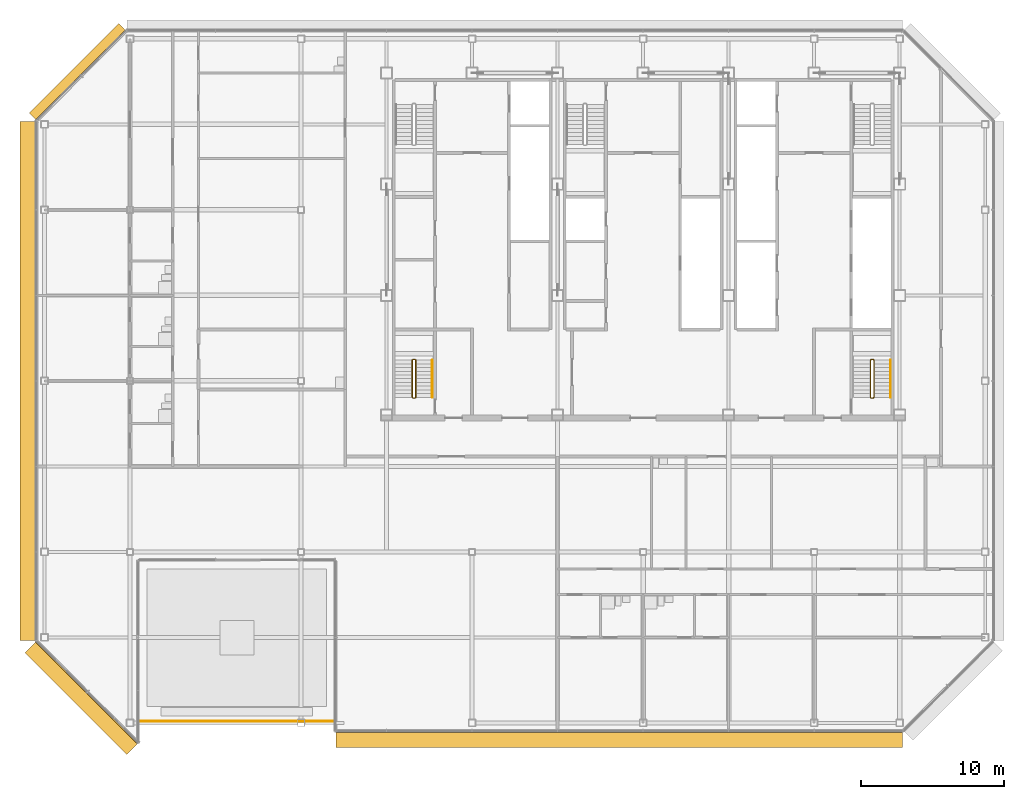
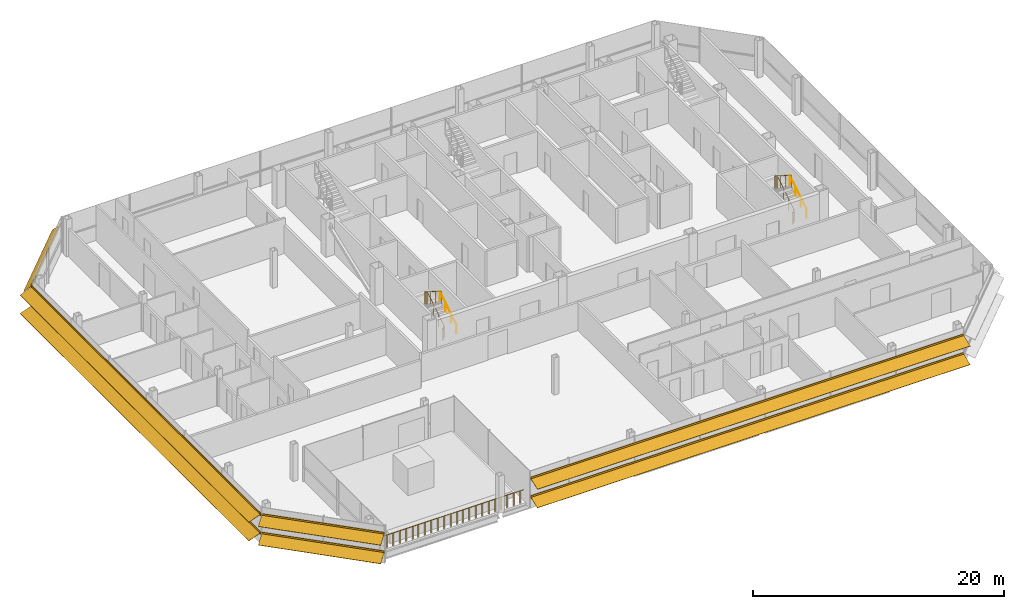
# One storey, part 28 of 31: 5 railings, 4 shading devices.
"""IFC4 building model written with IfcOpenShell, lengths in metres."""

from ifc_helpers import new_model, si_unit, direction, frame, origin, origin_2d, place, context, subcontext, project, spatial, polyline, circle, outline, composite_profile, extrude, material, type_object, element, save


model = new_model("IFC4")

# Units and contexts
model_context = context("Model", 3, precision=1e-05, world=origin(), true_north=direction((0.0, 1.0)))
body_context = subcontext(model_context, "Body", "Model", "MODEL_VIEW")
ifc_project = project(units=[si_unit("LENGTHUNIT", "METRE"), si_unit("AREAUNIT", "SQUARE_METRE"), si_unit("VOLUMEUNIT", "CUBIC_METRE"), si_unit("PLANEANGLEUNIT", "RADIAN"), si_unit("MASSUNIT", "GRAM", prefix="KILO")], contexts=[model_context])

# Site, building, storey
site_placement = place(None, origin())
site = spatial("IfcSite", under=ifc_project, at=site_placement, CompositionType="ELEMENT")
building_placement = place(site_placement, origin())
building = spatial("IfcBuilding", under=site, at=building_placement, Name="Sorahane Residences", CompositionType="ELEMENT")
storey_placement = place(building_placement, frame((0.0, 0.0, 319.60009765625)))
storey = spatial("IfcBuildingStorey", under=building, at=storey_placement, Name="L76", CompositionType="ELEMENT", Elevation=319.60009765625)

# Shading devices
ifc_material_1 = material(Name="Terracotta anodised aluminium", Category="masonry")
shading_device_type_1 = type_object("IfcShadingDeviceType", Name="Louvre sunshade blade NW terracotta aluminium 700", PredefinedType="JALOUSIE", material=ifc_material_1)
shading_device_1_placement = place(storey_placement, frame((-12.283935546875, 48.564697265625, 2.699951171875), z_axis=(-0.707106781187, -0.707106781187, 0.0), x_axis=(0.707106781187, -0.707106781187, 0.0)))
element("IfcShadingDevice", 1, at=shading_device_1_placement, inside=storey, type_object=shading_device_type_1, Name="Louvre sunshade blade bank NW L76 NW1", PredefinedType="JALOUSIE", context=body_context, shape_type="SweptSolid", body=[
    extrude(outline(polyline([(-0.719970703125, -0.660888671875), (-0.719970703125, -0.69091796875), (-0.080078125, -0.072998046875), (-0.080078125, -0.14990234375), (-0.02001953125, -0.14990234375), (-0.02001953125, -0.014892578125), (-0.02001953125, 0.014892578125), (-0.02001953125, 0.14990234375), (-0.080078125, 0.14990234375), (-0.080078125, -0.04296875), (-0.719970703125, -0.660888671875)])), origin(), (0.0, 0.0, 1.0), 8.88232421875),
])
ifc_material_2 = material(Name="Terracotta anodised aluminium", Category="masonry")
shading_device_type_2 = type_object("IfcShadingDeviceType", Name="Louvre sunshade blade S terracotta aluminium 1100", PredefinedType="JALOUSIE", material=ifc_material_2)
shading_device_2_placement = place(storey_placement, frame((2.449951171875, -0.60009765625, 0.89990234375), z_axis=(1.0, 0.0, 0.0), x_axis=(0.0, 1.0, 0.0)))
element("IfcShadingDevice", 2, at=shading_device_2_placement, inside=storey, type_object=shading_device_type_2, Name="Louvre sunshade blade bank S L76 S2", PredefinedType="JALOUSIE", context=body_context, shape_type="SweptSolid", body=[
    extrude(composite_profile([outline(polyline([(-1.1201171875, -0.385498046875), (-1.1201171875, -0.415283203125), (-0.080078125, -0.036865234375), (-0.080078125, -0.14990234375), (-0.02001953125, -0.14990234375), (-0.02001953125, -0.014892578125), (-0.02001953125, 0.014892578125), (-0.02001953125, 0.14990234375), (-0.080078125, 0.14990234375), (-0.080078125, -0.0068359375), (-1.1201171875, -0.385498046875)])), outline(polyline([(-1.1201171875, 1.41455078125), (-1.1201171875, 1.384521484375), (-0.080078125, 1.76318359375), (-0.080078125, 1.64990234375), (-0.02001953125, 1.64990234375), (-0.02001953125, 1.784912109375), (-0.02001953125, 1.81494140625), (-0.02001953125, 1.949951171875), (-0.080078125, 1.949951171875), (-0.080078125, 1.793212890625), (-1.1201171875, 1.41455078125)]))]), origin(), (0.0, 0.0, 1.0), 39.74853515625),
])
ifc_material_3 = material(Name="Terracotta anodised aluminium", Category="masonry")
shading_device_type_3 = type_object("IfcShadingDeviceType", Name="Louvre sunshade blade SW terracotta aluminium 1100", PredefinedType="JALOUSIE", material=ifc_material_3)
shading_device_3_placement = place(storey_placement, frame((-18.564697265625, 5.716064453125, 0.89990234375), z_axis=(0.707118888454, -0.707094673712, 0.0), x_axis=(0.707094673712, 0.707118888454, 0.0)))
element("IfcShadingDevice", 3, at=shading_device_3_placement, inside=storey, type_object=shading_device_type_3, Name="Louvre sunshade blade bank SW L76 SW1", PredefinedType="JALOUSIE", context=body_context, shape_type="SweptSolid", body=[
    extrude(composite_profile([outline(polyline([(-1.1201171875, -0.385498046875), (-1.1201171875, -0.415283203125), (-0.080078125, -0.036865234375), (-0.080078125, -0.14990234375), (-0.02001953125, -0.14990234375), (-0.02001953125, -0.014892578125), (-0.02001953125, 0.014892578125), (-0.02001953125, 0.14990234375), (-0.080078125, 0.14990234375), (-0.080078125, -0.0068359375), (-1.1201171875, -0.385498046875)])), outline(polyline([(-1.1201171875, 1.41455078125), (-1.1201171875, 1.384521484375), (-0.080078125, 1.76318359375), (-0.080078125, 1.64990234375), (-0.02001953125, 1.64990234375), (-0.02001953125, 1.784912109375), (-0.02001953125, 1.81494140625), (-0.02001953125, 1.949951171875), (-0.080078125, 1.949951171875), (-0.080078125, 1.793212890625), (-1.1201171875, 1.41455078125)]))]), origin(), (0.0, 0.0, 1.0), 10.082275390625),
])
ifc_material_4 = material(Name="Terracotta anodised aluminium", Category="masonry")
shading_device_type_4 = type_object("IfcShadingDeviceType", Name="Louvre sunshade blade W terracotta aluminium 1100", PredefinedType="JALOUSIE", material=ifc_material_4)
shading_device_4_placement = place(storey_placement, frame((-18.60009765625, 42.198486328125, 0.89990234375), z_axis=(0.0, -1.0, 0.0), x_axis=(1.0, 0.0, 0.0)))
element("IfcShadingDevice", 4, at=shading_device_4_placement, inside=storey, type_object=shading_device_type_4, Name="Louvre sunshade blade bank W L76 W2", PredefinedType="JALOUSIE", context=body_context, shape_type="SweptSolid", body=[
    extrude(composite_profile([outline(polyline([(-1.1201171875, -0.385498046875), (-1.1201171875, -0.415283203125), (-0.080078125, -0.036865234375), (-0.080078125, -0.14990234375), (-0.02001953125, -0.14990234375), (-0.02001953125, -0.014892578125), (-0.02001953125, 0.014892578125), (-0.02001953125, 0.14990234375), (-0.080078125, 0.14990234375), (-0.080078125, -0.0068359375), (-1.1201171875, -0.385498046875)])), outline(polyline([(-1.1201171875, 1.41455078125), (-1.1201171875, 1.384521484375), (-0.080078125, 1.76318359375), (-0.080078125, 1.64990234375), (-0.02001953125, 1.64990234375), (-0.02001953125, 1.784912109375), (-0.02001953125, 1.81494140625), (-0.02001953125, 1.949951171875), (-0.080078125, 1.949951171875), (-0.080078125, 1.793212890625), (-1.1201171875, 1.41455078125)]))]), origin(), (0.0, 0.0, 1.0), 36.39697265625),
])

# Railings
ifc_material_5 = material(Name="Steel Q355B", Category="steel")
railing_type_1 = type_object("IfcRailingType", Name="Stair guard 1200 Steel Q355B", PredefinedType="GUARDRAIL", material=ifc_material_5)
railing_1_placement = place(storey_placement, frame((7.85009765625, 22.800048828125, 0.0)))
element("IfcRailing", 5, at=railing_1_placement, inside=storey, type_object=railing_type_1, Name="L76 S4 stair guard 1", PredefinedType="GUARDRAIL", context=body_context, shape_type="SweptSolid", body=[
    extrude(circle(Radius=0.02392578125, at=origin_2d()), frame((0.0, 0.0, 1.17578125), z_axis=(1.0, 0.0, 0.0), x_axis=(0.0, 1.0, 0.0)), (0.0, 0.0, 1.0), 0.14990234375),
    extrude(circle(Radius=0.02392578125, at=origin_2d()), frame((0.14990234375, 0.0, 1.17578125), z_axis=(0.280808744504, 0.280808744504, 0.917765164963), x_axis=(-0.707106781187, 0.707106781187, 0.0)), (0.0, 0.0, 1.0), 0.17822265625),
    extrude(circle(Radius=0.02392578125, at=origin_2d()), frame((0.199951171875, 0.050048828125, 1.33935546875), z_axis=(0.0, 0.846337672412, 0.532646734952), x_axis=(-1.0, 0.0, 0.0)), (0.0, 0.0, 1.0), 3.07177734375),
    extrude(circle(Radius=0.02392578125, at=origin_2d()), frame((0.199951171875, 2.64990234375, 2.9755859375), z_axis=(-0.707106781187, 0.707106781187, 0.0), x_axis=(-0.707106781187, -0.707106781187, 0.0)), (0.0, 0.0, 1.0), 0.07080078125),
    extrude(circle(Radius=0.02392578125, at=origin_2d()), frame((0.14990234375, 2.699951171875, 2.9755859375), z_axis=(-1.0, 0.0, 0.0), x_axis=(0.0, -1.0, 0.0)), (0.0, 0.0, 1.0), 0.14990234375),
    extrude(circle(Radius=0.02392578125, at=origin_2d()), frame((0.0, 2.699951171875, 2.9755859375), z_axis=(-0.280456126637, -0.280456126637, 0.917980785237), x_axis=(0.707106781187, -0.707106781187, 0.0)), (0.0, 0.0, 1.0), 0.178466796875),
    extrude(circle(Radius=0.02392578125, at=origin_2d()), frame((-0.050048828125, 2.64990234375, 3.1396484375), z_axis=(0.0, -0.846337672412, 0.532646734952), x_axis=(1.0, 0.0, 0.0)), (0.0, 0.0, 1.0), 3.07177734375),
    extrude(circle(Radius=0.02099609375, at=origin_2d()), origin(), (0.0, 0.0, 1.0), 1.15185546875),
    extrude(circle(Radius=0.02099609375, at=origin_2d()), frame((0.14990234375, 0.0, 0.0)), (0.0, 0.0, 1.0), 1.15185546875),
    extrude(circle(Radius=0.02099609375, at=origin_2d()), frame((0.199951171875, 0.050048828125, 0.16357421875)), (0.0, 0.0, 1.0), 1.15185546875),
    extrude(circle(Radius=0.02099609375, at=origin_2d()), frame((0.199951171875, 0.916748046875, 0.708984375)), (0.0, 0.0, 1.0), 1.15185546875),
    extrude(circle(Radius=0.02099609375, at=origin_2d()), frame((0.199951171875, 1.783203125, 1.25439453125)), (0.0, 0.0, 1.0), 1.15185546875),
    extrude(circle(Radius=0.02099609375, at=origin_2d()), frame((0.199951171875, 2.64990234375, 1.7998046875)), (0.0, 0.0, 1.0), 1.15185546875),
    extrude(circle(Radius=0.02099609375, at=origin_2d()), frame((0.14990234375, 2.699951171875, 1.7998046875)), (0.0, 0.0, 1.0), 1.15185546875),
    extrude(circle(Radius=0.02099609375, at=origin_2d()), frame((0.0, 2.699951171875, 1.7998046875)), (0.0, 0.0, 1.0), 1.15185546875),
    extrude(circle(Radius=0.02099609375, at=origin_2d()), frame((-0.050048828125, 2.64990234375, 1.963623046875)), (0.0, 0.0, 1.0), 1.15185546875),
    extrude(circle(Radius=0.02099609375, at=origin_2d()), frame((-0.050048828125, 1.783203125, 2.509033203125)), (0.0, 0.0, 1.0), 1.15185546875),
    extrude(circle(Radius=0.02099609375, at=origin_2d()), frame((-0.050048828125, 0.916748046875, 3.054443359375)), (0.0, 0.0, 1.0), 1.15185546875),
    extrude(circle(Radius=0.02099609375, at=origin_2d()), frame((-0.050048828125, 0.050048828125, 3.599853515625)), (0.0, 0.0, 1.0), 1.15185546875),
])
railing_2_placement = place(storey_placement, frame((40.0, 22.800048828125, 0.0)))
element("IfcRailing", 6, at=railing_2_placement, inside=storey, type_object=railing_type_1, Name="L76 S5 stair guard 1", PredefinedType="GUARDRAIL", context=body_context, shape_type="SweptSolid", body=[
    extrude(circle(Radius=0.02392578125, at=origin_2d()), frame((0.0, 0.0, 1.17578125), z_axis=(1.0, 0.0, 0.0), x_axis=(0.0, 1.0, 0.0)), (0.0, 0.0, 1.0), 0.14990234375),
    extrude(circle(Radius=0.02392578125, at=origin_2d()), frame((0.14990234375, 0.0, 1.17578125), z_axis=(0.280808744504, 0.280808744504, 0.917765164963), x_axis=(-0.707106781187, 0.707106781187, 0.0)), (0.0, 0.0, 1.0), 0.17822265625),
    extrude(circle(Radius=0.02392578125, at=origin_2d()), frame((0.199951171875, 0.050048828125, 1.33935546875), z_axis=(0.0, 0.846337672412, 0.532646734952), x_axis=(-1.0, 0.0, 0.0)), (0.0, 0.0, 1.0), 3.07177734375),
    extrude(circle(Radius=0.02392578125, at=origin_2d()), frame((0.199951171875, 2.64990234375, 2.9755859375), z_axis=(-0.707106781187, 0.707106781187, 0.0), x_axis=(-0.707106781187, -0.707106781187, 0.0)), (0.0, 0.0, 1.0), 0.07080078125),
    extrude(circle(Radius=0.02392578125, at=origin_2d()), frame((0.14990234375, 2.699951171875, 2.9755859375), z_axis=(-1.0, 0.0, 0.0), x_axis=(0.0, -1.0, 0.0)), (0.0, 0.0, 1.0), 0.14990234375),
    extrude(circle(Radius=0.02392578125, at=origin_2d()), frame((0.0, 2.699951171875, 2.9755859375), z_axis=(-0.280456126637, -0.280456126637, 0.917980785237), x_axis=(0.707106781187, -0.707106781187, 0.0)), (0.0, 0.0, 1.0), 0.178466796875),
    extrude(circle(Radius=0.02392578125, at=origin_2d()), frame((-0.050048828125, 2.64990234375, 3.1396484375), z_axis=(0.0, -0.846337672412, 0.532646734952), x_axis=(1.0, 0.0, 0.0)), (0.0, 0.0, 1.0), 3.07177734375),
    extrude(circle(Radius=0.02099609375, at=origin_2d()), origin(), (0.0, 0.0, 1.0), 1.15185546875),
    extrude(circle(Radius=0.02099609375, at=origin_2d()), frame((0.14990234375, 0.0, 0.0)), (0.0, 0.0, 1.0), 1.15185546875),
    extrude(circle(Radius=0.02099609375, at=origin_2d()), frame((0.199951171875, 0.050048828125, 0.16357421875)), (0.0, 0.0, 1.0), 1.15185546875),
    extrude(circle(Radius=0.02099609375, at=origin_2d()), frame((0.199951171875, 0.916748046875, 0.708984375)), (0.0, 0.0, 1.0), 1.15185546875),
    extrude(circle(Radius=0.02099609375, at=origin_2d()), frame((0.199951171875, 1.783203125, 1.25439453125)), (0.0, 0.0, 1.0), 1.15185546875),
    extrude(circle(Radius=0.02099609375, at=origin_2d()), frame((0.199951171875, 2.64990234375, 1.7998046875)), (0.0, 0.0, 1.0), 1.15185546875),
    extrude(circle(Radius=0.02099609375, at=origin_2d()), frame((0.14990234375, 2.699951171875, 1.7998046875)), (0.0, 0.0, 1.0), 1.15185546875),
    extrude(circle(Radius=0.02099609375, at=origin_2d()), frame((0.0, 2.699951171875, 1.7998046875)), (0.0, 0.0, 1.0), 1.15185546875),
    extrude(circle(Radius=0.02099609375, at=origin_2d()), frame((-0.050048828125, 2.64990234375, 1.963623046875)), (0.0, 0.0, 1.0), 1.15185546875),
    extrude(circle(Radius=0.02099609375, at=origin_2d()), frame((-0.050048828125, 1.783203125, 2.509033203125)), (0.0, 0.0, 1.0), 1.15185546875),
    extrude(circle(Radius=0.02099609375, at=origin_2d()), frame((-0.050048828125, 0.916748046875, 3.054443359375)), (0.0, 0.0, 1.0), 1.15185546875),
    extrude(circle(Radius=0.02099609375, at=origin_2d()), frame((-0.050048828125, 0.050048828125, 3.599853515625)), (0.0, 0.0, 1.0), 1.15185546875),
])
ifc_material_6 = material(Name="Steel Q355B", Category="steel")
railing_type_2 = type_object("IfcRailingType", Name="Stair handrail 900 Steel Q355B", PredefinedType="HANDRAIL", material=ifc_material_6)
for number, where, name in (
    (7, (9.199951171875, 22.85009765625, 0.16357421875), "L76 S4 stair handrail 1"),
    (8, (41.35009765625, 22.85009765625, 0.16357421875), "L76 S5 stair handrail 1"),
):
    element("IfcRailing", number, at=place(storey_placement, frame(where)), inside=storey, type_object=railing_type_2, Name=name, PredefinedType="HANDRAIL", context=body_context, shape_type="SweptSolid", body=[
        extrude(circle(Radius=0.02392578125, at=origin_2d()), frame((0.0, 0.0, 0.8759765625), z_axis=(0.0, 0.846337672412, 0.532646734952), x_axis=(-1.0, 0.0, 0.0)), (0.0, 0.0, 1.0), 3.07177734375),
        extrude(circle(Radius=0.02099609375, at=origin_2d()), origin(), (0.0, 0.0, 1.0), 0.851806640625),
        extrude(circle(Radius=0.02099609375, at=origin_2d()), frame((0.0, 0.86669921875, 0.54541015625)), (0.0, 0.0, 1.0), 0.851806640625),
        extrude(circle(Radius=0.02099609375, at=origin_2d()), frame((0.0, 1.733154296875, 1.0908203125)), (0.0, 0.0, 1.0), 0.851806640625),
        extrude(circle(Radius=0.02099609375, at=origin_2d()), frame((0.0, 2.599853515625, 1.63623046875)), (0.0, 0.0, 1.0), 0.851806640625),
    ])
ifc_material_7 = material(Name="Clear low-iron glass with a black steel top rail", Category="steel")
railing_type_3 = type_object("IfcRailingType", Name="Terrace guard black steel bars 1260", PredefinedType="GUARDRAIL", material=ifc_material_7)
railing_3_placement = place(storey_placement, frame((2.280029296875, 0.1201171875, 0.0)))
element("IfcRailing", 9, at=railing_3_placement, inside=storey, type_object=railing_type_3, Name="Terrace guard L76.1.1", PredefinedType="GUARDRAIL", context=body_context, shape_type="SweptSolid", body=[
    extrude(circle(Radius=0.030029296875, at=origin_2d()), frame((0.0, 0.0, 1.22998046875), z_axis=(-1.0, 0.0, 0.0), x_axis=(0.0, -1.0, 0.0)), (0.0, 0.0, 1.0), 13.56005859375),
    extrude(circle(Radius=0.0068359375, at=origin_2d()), origin(), (0.0, 0.0, 1.0), 1.199951171875),
    extrude(circle(Radius=0.0068359375, at=origin_2d()), frame((-0.099609375, 0.0, 0.0)), (0.0, 0.0, 1.0), 1.199951171875),
    extrude(circle(Radius=0.0068359375, at=origin_2d()), frame((-0.199462890625, 0.0, 0.0)), (0.0, 0.0, 1.0), 1.199951171875),
    extrude(circle(Radius=0.0068359375, at=origin_2d()), frame((-0.299072265625, 0.0, 0.0)), (0.0, 0.0, 1.0), 1.199951171875),
    extrude(circle(Radius=0.0068359375, at=origin_2d()), frame((-0.39892578125, 0.0, 0.0)), (0.0, 0.0, 1.0), 1.199951171875),
    extrude(circle(Radius=0.0068359375, at=origin_2d()), frame((-0.49853515625, 0.0, 0.0)), (0.0, 0.0, 1.0), 1.199951171875),
    extrude(circle(Radius=0.0068359375, at=origin_2d()), frame((-0.59814453125, 0.0, 0.0)), (0.0, 0.0, 1.0), 1.199951171875),
    extrude(circle(Radius=0.0068359375, at=origin_2d()), frame((-0.697998046875, 0.0, 0.0)), (0.0, 0.0, 1.0), 1.199951171875),
    extrude(circle(Radius=0.0068359375, at=origin_2d()), frame((-0.797607421875, 0.0, 0.0)), (0.0, 0.0, 1.0), 1.199951171875),
    extrude(circle(Radius=0.0068359375, at=origin_2d()), frame((-0.8974609375, 0.0, 0.0)), (0.0, 0.0, 1.0), 1.199951171875),
    extrude(circle(Radius=0.0068359375, at=origin_2d()), frame((-0.9970703125, 0.0, 0.0)), (0.0, 0.0, 1.0), 1.199951171875),
    extrude(circle(Radius=0.0068359375, at=origin_2d()), frame((-1.0966796875, 0.0, 0.0)), (0.0, 0.0, 1.0), 1.199951171875),
    extrude(circle(Radius=0.0068359375, at=origin_2d()), frame((-1.196533203125, 0.0, 0.0)), (0.0, 0.0, 1.0), 1.199951171875),
    extrude(circle(Radius=0.0068359375, at=origin_2d()), frame((-1.296142578125, 0.0, 0.0)), (0.0, 0.0, 1.0), 1.199951171875),
    extrude(circle(Radius=0.0068359375, at=origin_2d()), frame((-1.39599609375, 0.0, 0.0)), (0.0, 0.0, 1.0), 1.199951171875),
    extrude(circle(Radius=0.0068359375, at=origin_2d()), frame((-1.49560546875, 0.0, 0.0)), (0.0, 0.0, 1.0), 1.199951171875),
    extrude(circle(Radius=0.0068359375, at=origin_2d()), frame((-1.59521484375, 0.0, 0.0)), (0.0, 0.0, 1.0), 1.199951171875),
    extrude(circle(Radius=0.0068359375, at=origin_2d()), frame((-1.695068359375, 0.0, 0.0)), (0.0, 0.0, 1.0), 1.199951171875),
    extrude(circle(Radius=0.0068359375, at=origin_2d()), frame((-1.794677734375, 0.0, 0.0)), (0.0, 0.0, 1.0), 1.199951171875),
    extrude(circle(Radius=0.0068359375, at=origin_2d()), frame((-1.89453125, 0.0, 0.0)), (0.0, 0.0, 1.0), 1.199951171875),
    extrude(circle(Radius=0.0068359375, at=origin_2d()), frame((-1.994140625, 0.0, 0.0)), (0.0, 0.0, 1.0), 1.199951171875),
    extrude(circle(Radius=0.0068359375, at=origin_2d()), frame((-2.09375, 0.0, 0.0)), (0.0, 0.0, 1.0), 1.199951171875),
    extrude(circle(Radius=0.0068359375, at=origin_2d()), frame((-2.193603515625, 0.0, 0.0)), (0.0, 0.0, 1.0), 1.199951171875),
    extrude(circle(Radius=0.0068359375, at=origin_2d()), frame((-2.293212890625, 0.0, 0.0)), (0.0, 0.0, 1.0), 1.199951171875),
    extrude(circle(Radius=0.0068359375, at=origin_2d()), frame((-2.39306640625, 0.0, 0.0)), (0.0, 0.0, 1.0), 1.199951171875),
    extrude(circle(Radius=0.0068359375, at=origin_2d()), frame((-2.49267578125, 0.0, 0.0)), (0.0, 0.0, 1.0), 1.199951171875),
    extrude(circle(Radius=0.0068359375, at=origin_2d()), frame((-2.59228515625, 0.0, 0.0)), (0.0, 0.0, 1.0), 1.199951171875),
    extrude(circle(Radius=0.0068359375, at=origin_2d()), frame((-2.692138671875, 0.0, 0.0)), (0.0, 0.0, 1.0), 1.199951171875),
    extrude(circle(Radius=0.0068359375, at=origin_2d()), frame((-2.791748046875, 0.0, 0.0)), (0.0, 0.0, 1.0), 1.199951171875),
    extrude(circle(Radius=0.0068359375, at=origin_2d()), frame((-2.8916015625, 0.0, 0.0)), (0.0, 0.0, 1.0), 1.199951171875),
    extrude(circle(Radius=0.0068359375, at=origin_2d()), frame((-2.9912109375, 0.0, 0.0)), (0.0, 0.0, 1.0), 1.199951171875),
    extrude(circle(Radius=0.0068359375, at=origin_2d()), frame((-3.0908203125, 0.0, 0.0)), (0.0, 0.0, 1.0), 1.199951171875),
    extrude(circle(Radius=0.0068359375, at=origin_2d()), frame((-3.190673828125, 0.0, 0.0)), (0.0, 0.0, 1.0), 1.199951171875),
    extrude(circle(Radius=0.0068359375, at=origin_2d()), frame((-3.290283203125, 0.0, 0.0)), (0.0, 0.0, 1.0), 1.199951171875),
    extrude(circle(Radius=0.0068359375, at=origin_2d()), frame((-3.39013671875, 0.0, 0.0)), (0.0, 0.0, 1.0), 1.199951171875),
    extrude(circle(Radius=0.0068359375, at=origin_2d()), frame((-3.48974609375, 0.0, 0.0)), (0.0, 0.0, 1.0), 1.199951171875),
    extrude(circle(Radius=0.0068359375, at=origin_2d()), frame((-3.58935546875, 0.0, 0.0)), (0.0, 0.0, 1.0), 1.199951171875),
    extrude(circle(Radius=0.0068359375, at=origin_2d()), frame((-3.689208984375, 0.0, 0.0)), (0.0, 0.0, 1.0), 1.199951171875),
    extrude(circle(Radius=0.0068359375, at=origin_2d()), frame((-3.788818359375, 0.0, 0.0)), (0.0, 0.0, 1.0), 1.199951171875),
    extrude(circle(Radius=0.0068359375, at=origin_2d()), frame((-3.888427734375, 0.0, 0.0)), (0.0, 0.0, 1.0), 1.199951171875),
    extrude(circle(Radius=0.0068359375, at=origin_2d()), frame((-3.98828125, 0.0, 0.0)), (0.0, 0.0, 1.0), 1.199951171875),
    extrude(circle(Radius=0.0068359375, at=origin_2d()), frame((-4.087890625, 0.0, 0.0)), (0.0, 0.0, 1.0), 1.199951171875),
    extrude(circle(Radius=0.0068359375, at=origin_2d()), frame((-4.187744140625, 0.0, 0.0)), (0.0, 0.0, 1.0), 1.199951171875),
    extrude(circle(Radius=0.0068359375, at=origin_2d()), frame((-4.287353515625, 0.0, 0.0)), (0.0, 0.0, 1.0), 1.199951171875),
    extrude(circle(Radius=0.0068359375, at=origin_2d()), frame((-4.386962890625, 0.0, 0.0)), (0.0, 0.0, 1.0), 1.199951171875),
    extrude(circle(Radius=0.0068359375, at=origin_2d()), frame((-4.48681640625, 0.0, 0.0)), (0.0, 0.0, 1.0), 1.199951171875),
    extrude(circle(Radius=0.0068359375, at=origin_2d()), frame((-4.58642578125, 0.0, 0.0)), (0.0, 0.0, 1.0), 1.199951171875),
    extrude(circle(Radius=0.0068359375, at=origin_2d()), frame((-4.686279296875, 0.0, 0.0)), (0.0, 0.0, 1.0), 1.199951171875),
    extrude(circle(Radius=0.0068359375, at=origin_2d()), frame((-4.785888671875, 0.0, 0.0)), (0.0, 0.0, 1.0), 1.199951171875),
    extrude(circle(Radius=0.0068359375, at=origin_2d()), frame((-4.885498046875, 0.0, 0.0)), (0.0, 0.0, 1.0), 1.199951171875),
    extrude(circle(Radius=0.0068359375, at=origin_2d()), frame((-4.9853515625, 0.0, 0.0)), (0.0, 0.0, 1.0), 1.199951171875),
    extrude(circle(Radius=0.0068359375, at=origin_2d()), frame((-5.0849609375, 0.0, 0.0)), (0.0, 0.0, 1.0), 1.199951171875),
    extrude(circle(Radius=0.0068359375, at=origin_2d()), frame((-5.184814453125, 0.0, 0.0)), (0.0, 0.0, 1.0), 1.199951171875),
    extrude(circle(Radius=0.0068359375, at=origin_2d()), frame((-5.284423828125, 0.0, 0.0)), (0.0, 0.0, 1.0), 1.199951171875),
    extrude(circle(Radius=0.0068359375, at=origin_2d()), frame((-5.384033203125, 0.0, 0.0)), (0.0, 0.0, 1.0), 1.199951171875),
    extrude(circle(Radius=0.0068359375, at=origin_2d()), frame((-5.48388671875, 0.0, 0.0)), (0.0, 0.0, 1.0), 1.199951171875),
    extrude(circle(Radius=0.0068359375, at=origin_2d()), frame((-5.58349609375, 0.0, 0.0)), (0.0, 0.0, 1.0), 1.199951171875),
    extrude(circle(Radius=0.0068359375, at=origin_2d()), frame((-5.683349609375, 0.0, 0.0)), (0.0, 0.0, 1.0), 1.199951171875),
    extrude(circle(Radius=0.0068359375, at=origin_2d()), frame((-5.782958984375, 0.0, 0.0)), (0.0, 0.0, 1.0), 1.199951171875),
    extrude(circle(Radius=0.0068359375, at=origin_2d()), frame((-5.882568359375, 0.0, 0.0)), (0.0, 0.0, 1.0), 1.199951171875),
    extrude(circle(Radius=0.0068359375, at=origin_2d()), frame((-5.982421875, 0.0, 0.0)), (0.0, 0.0, 1.0), 1.199951171875),
    extrude(circle(Radius=0.0068359375, at=origin_2d()), frame((-6.08203125, 0.0, 0.0)), (0.0, 0.0, 1.0), 1.199951171875),
    extrude(circle(Radius=0.0068359375, at=origin_2d()), frame((-6.181884765625, 0.0, 0.0)), (0.0, 0.0, 1.0), 1.199951171875),
    extrude(circle(Radius=0.0068359375, at=origin_2d()), frame((-6.281494140625, 0.0, 0.0)), (0.0, 0.0, 1.0), 1.199951171875),
    extrude(circle(Radius=0.0068359375, at=origin_2d()), frame((-6.381103515625, 0.0, 0.0)), (0.0, 0.0, 1.0), 1.199951171875),
    extrude(circle(Radius=0.0068359375, at=origin_2d()), frame((-6.48095703125, 0.0, 0.0)), (0.0, 0.0, 1.0), 1.199951171875),
    extrude(circle(Radius=0.0068359375, at=origin_2d()), frame((-6.58056640625, 0.0, 0.0)), (0.0, 0.0, 1.0), 1.199951171875),
    extrude(circle(Radius=0.0068359375, at=origin_2d()), frame((-6.680419921875, 0.0, 0.0)), (0.0, 0.0, 1.0), 1.199951171875),
    extrude(circle(Radius=0.0068359375, at=origin_2d()), frame((-6.780029296875, 0.0, 0.0)), (0.0, 0.0, 1.0), 1.199951171875),
    extrude(circle(Radius=0.0068359375, at=origin_2d()), frame((-6.879638671875, 0.0, 0.0)), (0.0, 0.0, 1.0), 1.199951171875),
    extrude(circle(Radius=0.0068359375, at=origin_2d()), frame((-6.9794921875, 0.0, 0.0)), (0.0, 0.0, 1.0), 1.199951171875),
    extrude(circle(Radius=0.0068359375, at=origin_2d()), frame((-7.0791015625, 0.0, 0.0)), (0.0, 0.0, 1.0), 1.199951171875),
    extrude(circle(Radius=0.0068359375, at=origin_2d()), frame((-7.178955078125, 0.0, 0.0)), (0.0, 0.0, 1.0), 1.199951171875),
    extrude(circle(Radius=0.0068359375, at=origin_2d()), frame((-7.278564453125, 0.0, 0.0)), (0.0, 0.0, 1.0), 1.199951171875),
    extrude(circle(Radius=0.0068359375, at=origin_2d()), frame((-7.378173828125, 0.0, 0.0)), (0.0, 0.0, 1.0), 1.199951171875),
    extrude(circle(Radius=0.0068359375, at=origin_2d()), frame((-7.47802734375, 0.0, 0.0)), (0.0, 0.0, 1.0), 1.199951171875),
    extrude(circle(Radius=0.0068359375, at=origin_2d()), frame((-7.57763671875, 0.0, 0.0)), (0.0, 0.0, 1.0), 1.199951171875),
    extrude(circle(Radius=0.0068359375, at=origin_2d()), frame((-7.677490234375, 0.0, 0.0)), (0.0, 0.0, 1.0), 1.199951171875),
    extrude(circle(Radius=0.0068359375, at=origin_2d()), frame((-7.777099609375, 0.0, 0.0)), (0.0, 0.0, 1.0), 1.199951171875),
    extrude(circle(Radius=0.0068359375, at=origin_2d()), frame((-7.876708984375, 0.0, 0.0)), (0.0, 0.0, 1.0), 1.199951171875),
    extrude(circle(Radius=0.0068359375, at=origin_2d()), frame((-7.9765625, 0.0, 0.0)), (0.0, 0.0, 1.0), 1.199951171875),
    extrude(circle(Radius=0.0068359375, at=origin_2d()), frame((-8.076171875, 0.0, 0.0)), (0.0, 0.0, 1.0), 1.199951171875),
    extrude(circle(Radius=0.0068359375, at=origin_2d()), frame((-8.176025390625, 0.0, 0.0)), (0.0, 0.0, 1.0), 1.199951171875),
    extrude(circle(Radius=0.0068359375, at=origin_2d()), frame((-8.275634765625, 0.0, 0.0)), (0.0, 0.0, 1.0), 1.199951171875),
    extrude(circle(Radius=0.0068359375, at=origin_2d()), frame((-8.375244140625, 0.0, 0.0)), (0.0, 0.0, 1.0), 1.199951171875),
    extrude(circle(Radius=0.0068359375, at=origin_2d()), frame((-8.47509765625, 0.0, 0.0)), (0.0, 0.0, 1.0), 1.199951171875),
    extrude(circle(Radius=0.0068359375, at=origin_2d()), frame((-8.57470703125, 0.0, 0.0)), (0.0, 0.0, 1.0), 1.199951171875),
    extrude(circle(Radius=0.0068359375, at=origin_2d()), frame((-8.674560546875, 0.0, 0.0)), (0.0, 0.0, 1.0), 1.199951171875),
    extrude(circle(Radius=0.0068359375, at=origin_2d()), frame((-8.774169921875, 0.0, 0.0)), (0.0, 0.0, 1.0), 1.199951171875),
    extrude(circle(Radius=0.0068359375, at=origin_2d()), frame((-8.873779296875, 0.0, 0.0)), (0.0, 0.0, 1.0), 1.199951171875),
    extrude(circle(Radius=0.0068359375, at=origin_2d()), frame((-8.9736328125, 0.0, 0.0)), (0.0, 0.0, 1.0), 1.199951171875),
    extrude(circle(Radius=0.0068359375, at=origin_2d()), frame((-9.0732421875, 0.0, 0.0)), (0.0, 0.0, 1.0), 1.199951171875),
    extrude(circle(Radius=0.0068359375, at=origin_2d()), frame((-9.173095703125, 0.0, 0.0)), (0.0, 0.0, 1.0), 1.199951171875),
    extrude(circle(Radius=0.0068359375, at=origin_2d()), frame((-9.272705078125, 0.0, 0.0)), (0.0, 0.0, 1.0), 1.199951171875),
    extrude(circle(Radius=0.0068359375, at=origin_2d()), frame((-9.372314453125, 0.0, 0.0)), (0.0, 0.0, 1.0), 1.199951171875),
    extrude(circle(Radius=0.0068359375, at=origin_2d()), frame((-9.47216796875, 0.0, 0.0)), (0.0, 0.0, 1.0), 1.199951171875),
    extrude(circle(Radius=0.0068359375, at=origin_2d()), frame((-9.57177734375, 0.0, 0.0)), (0.0, 0.0, 1.0), 1.199951171875),
    extrude(circle(Radius=0.0068359375, at=origin_2d()), frame((-9.671630859375, 0.0, 0.0)), (0.0, 0.0, 1.0), 1.199951171875),
    extrude(circle(Radius=0.0068359375, at=origin_2d()), frame((-9.771240234375, 0.0, 0.0)), (0.0, 0.0, 1.0), 1.199951171875),
    extrude(circle(Radius=0.0068359375, at=origin_2d()), frame((-9.870849609375, 0.0, 0.0)), (0.0, 0.0, 1.0), 1.199951171875),
    extrude(circle(Radius=0.0068359375, at=origin_2d()), frame((-9.970703125, 0.0, 0.0)), (0.0, 0.0, 1.0), 1.199951171875),
    extrude(circle(Radius=0.0068359375, at=origin_2d()), frame((-10.0703125, 0.0, 0.0)), (0.0, 0.0, 1.0), 1.199951171875),
    extrude(circle(Radius=0.0068359375, at=origin_2d()), frame((-10.169921875, 0.0, 0.0)), (0.0, 0.0, 1.0), 1.199951171875),
    extrude(circle(Radius=0.0068359375, at=origin_2d()), frame((-10.269775390625, 0.0, 0.0)), (0.0, 0.0, 1.0), 1.199951171875),
    extrude(circle(Radius=0.0068359375, at=origin_2d()), frame((-10.369384765625, 0.0, 0.0)), (0.0, 0.0, 1.0), 1.199951171875),
    extrude(circle(Radius=0.0068359375, at=origin_2d()), frame((-10.46923828125, 0.0, 0.0)), (0.0, 0.0, 1.0), 1.199951171875),
    extrude(circle(Radius=0.0068359375, at=origin_2d()), frame((-10.56884765625, 0.0, 0.0)), (0.0, 0.0, 1.0), 1.199951171875),
    extrude(circle(Radius=0.0068359375, at=origin_2d()), frame((-10.66845703125, 0.0, 0.0)), (0.0, 0.0, 1.0), 1.199951171875),
    extrude(circle(Radius=0.0068359375, at=origin_2d()), frame((-10.768310546875, 0.0, 0.0)), (0.0, 0.0, 1.0), 1.199951171875),
    extrude(circle(Radius=0.0068359375, at=origin_2d()), frame((-10.867919921875, 0.0, 0.0)), (0.0, 0.0, 1.0), 1.199951171875),
    extrude(circle(Radius=0.0068359375, at=origin_2d()), frame((-10.9677734375, 0.0, 0.0)), (0.0, 0.0, 1.0), 1.199951171875),
    extrude(circle(Radius=0.0068359375, at=origin_2d()), frame((-11.0673828125, 0.0, 0.0)), (0.0, 0.0, 1.0), 1.199951171875),
    extrude(circle(Radius=0.0068359375, at=origin_2d()), frame((-11.1669921875, 0.0, 0.0)), (0.0, 0.0, 1.0), 1.199951171875),
    extrude(circle(Radius=0.0068359375, at=origin_2d()), frame((-11.266845703125, 0.0, 0.0)), (0.0, 0.0, 1.0), 1.199951171875),
    extrude(circle(Radius=0.0068359375, at=origin_2d()), frame((-11.366455078125, 0.0, 0.0)), (0.0, 0.0, 1.0), 1.199951171875),
    extrude(circle(Radius=0.0068359375, at=origin_2d()), frame((-11.46630859375, 0.0, 0.0)), (0.0, 0.0, 1.0), 1.199951171875),
    extrude(circle(Radius=0.0068359375, at=origin_2d()), frame((-11.56591796875, 0.0, 0.0)), (0.0, 0.0, 1.0), 1.199951171875),
    extrude(circle(Radius=0.0068359375, at=origin_2d()), frame((-11.66552734375, 0.0, 0.0)), (0.0, 0.0, 1.0), 1.199951171875),
    extrude(circle(Radius=0.0068359375, at=origin_2d()), frame((-11.765380859375, 0.0, 0.0)), (0.0, 0.0, 1.0), 1.199951171875),
    extrude(circle(Radius=0.0068359375, at=origin_2d()), frame((-11.864990234375, 0.0, 0.0)), (0.0, 0.0, 1.0), 1.199951171875),
    extrude(circle(Radius=0.0068359375, at=origin_2d()), frame((-11.96484375, 0.0, 0.0)), (0.0, 0.0, 1.0), 1.199951171875),
    extrude(circle(Radius=0.0068359375, at=origin_2d()), frame((-12.064453125, 0.0, 0.0)), (0.0, 0.0, 1.0), 1.199951171875),
    extrude(circle(Radius=0.0068359375, at=origin_2d()), frame((-12.1640625, 0.0, 0.0)), (0.0, 0.0, 1.0), 1.199951171875),
    extrude(circle(Radius=0.0068359375, at=origin_2d()), frame((-12.263916015625, 0.0, 0.0)), (0.0, 0.0, 1.0), 1.199951171875),
    extrude(circle(Radius=0.0068359375, at=origin_2d()), frame((-12.363525390625, 0.0, 0.0)), (0.0, 0.0, 1.0), 1.199951171875),
    extrude(circle(Radius=0.0068359375, at=origin_2d()), frame((-12.46337890625, 0.0, 0.0)), (0.0, 0.0, 1.0), 1.199951171875),
    extrude(circle(Radius=0.0068359375, at=origin_2d()), frame((-12.56298828125, 0.0, 0.0)), (0.0, 0.0, 1.0), 1.199951171875),
    extrude(circle(Radius=0.0068359375, at=origin_2d()), frame((-12.66259765625, 0.0, 0.0)), (0.0, 0.0, 1.0), 1.199951171875),
    extrude(circle(Radius=0.0068359375, at=origin_2d()), frame((-12.762451171875, 0.0, 0.0)), (0.0, 0.0, 1.0), 1.199951171875),
    extrude(circle(Radius=0.0068359375, at=origin_2d()), frame((-12.862060546875, 0.0, 0.0)), (0.0, 0.0, 1.0), 1.199951171875),
    extrude(circle(Radius=0.0068359375, at=origin_2d()), frame((-12.9619140625, 0.0, 0.0)), (0.0, 0.0, 1.0), 1.199951171875),
    extrude(circle(Radius=0.0068359375, at=origin_2d()), frame((-13.0615234375, 0.0, 0.0)), (0.0, 0.0, 1.0), 1.199951171875),
    extrude(circle(Radius=0.0068359375, at=origin_2d()), frame((-13.1611328125, 0.0, 0.0)), (0.0, 0.0, 1.0), 1.199951171875),
    extrude(circle(Radius=0.0068359375, at=origin_2d()), frame((-13.260986328125, 0.0, 0.0)), (0.0, 0.0, 1.0), 1.199951171875),
    extrude(circle(Radius=0.0068359375, at=origin_2d()), frame((-13.360595703125, 0.0, 0.0)), (0.0, 0.0, 1.0), 1.199951171875),
    extrude(circle(Radius=0.0068359375, at=origin_2d()), frame((-13.46044921875, 0.0, 0.0)), (0.0, 0.0, 1.0), 1.199951171875),
    extrude(circle(Radius=0.0068359375, at=origin_2d()), frame((-13.56005859375, 0.0, 0.0)), (0.0, 0.0, 1.0), 1.199951171875),
])

save(model, "model.ifc")
